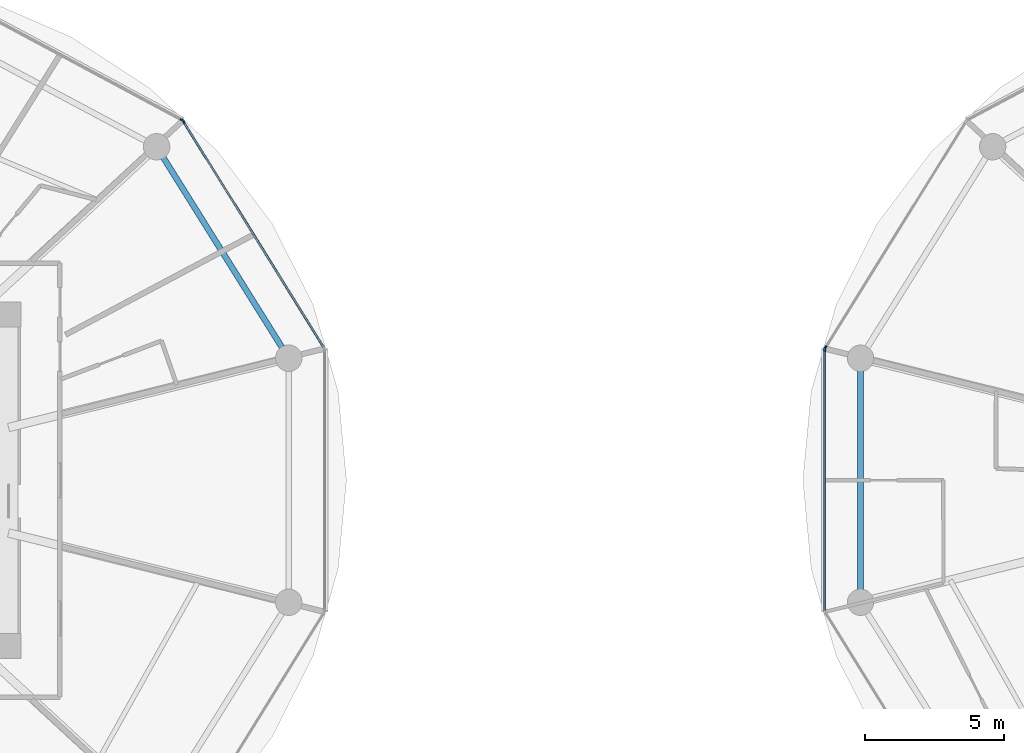
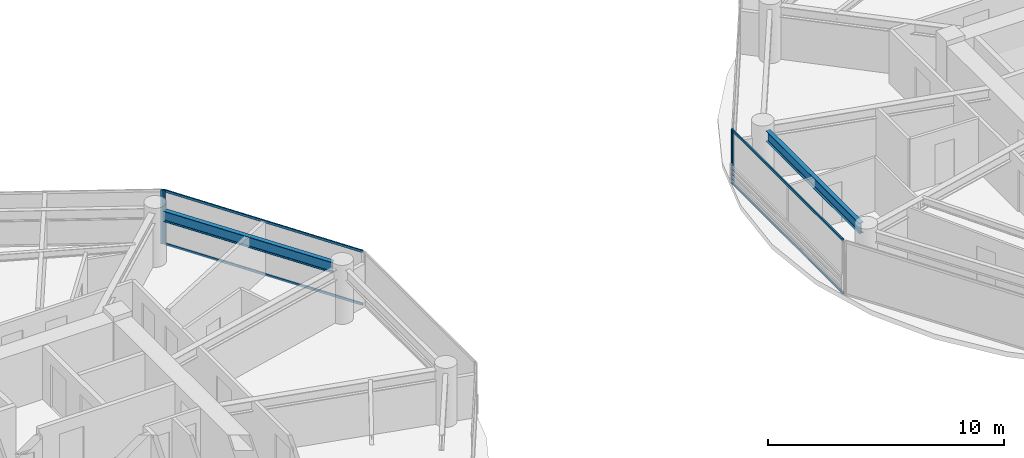
# One storey, part 7 of 27: 8 members, 2 beams, 4 elements without a shape of their own.
"""IFC4 building model written with IfcOpenShell, lengths in metres."""

from ifc_helpers import new_model, si_unit, direction, frame, origin, origin_2d, place, context, subcontext, project, spatial, rectangle, i_section, extrude, source, transform, mapped, material, layer, layer_set, material_profile, profile_set, type_object, type_shapes, element, aggregate, save


model = new_model("IFC4")

# Units and contexts
model_context = context("Model", 3, precision=1e-05, world=origin(), true_north=direction((0.0, 1.0)))
body_context = subcontext(model_context, "Body", "Model", "MODEL_VIEW")
ifc_project = project(units=[si_unit("LENGTHUNIT", "METRE"), si_unit("AREAUNIT", "SQUARE_METRE"), si_unit("VOLUMEUNIT", "CUBIC_METRE"), si_unit("PLANEANGLEUNIT", "RADIAN"), si_unit("MASSUNIT", "GRAM", prefix="KILO")], contexts=[model_context])

# Site, building, storey
site_placement = place(None, origin())
site = spatial("IfcSite", under=ifc_project, at=site_placement, CompositionType="ELEMENT")
building_placement = place(site_placement, origin())
building = spatial("IfcBuilding", under=site, at=building_placement, Name="Norrkilde Senior Care Towers", CompositionType="ELEMENT")
storey_placement = place(building_placement, frame((0.0, 0.0, 33.800048828125)))
storey = spatial("IfcBuildingStorey", under=building, at=storey_placement, Name="L09", CompositionType="ELEMENT", Elevation=33.800048828125)

# Beams
ifc_material_1 = material(Name="Steel S355", Category="steel")
ifc_material_profile_1 = material_profile(ifc_material_1, i_section(OverallWidth=0.2099609375, OverallDepth=0.550048828125, WebThickness=0.010986328125, FlangeThickness=0.01708984375, FilletRadius=0.02392578125, at=origin_2d()), Name="IPE 550")
ifc_profile_set_1 = profile_set([ifc_material_profile_1], Name="Steel S355")
beam_type = type_object("IfcBeamType", Name="Perimeter Ring Spandrel Z1 IPE550", PredefinedType="SPANDREL", material=ifc_profile_set_1)
shared_shape_1 = source(origin(), body_context, "Body", "SweptSolid", [
    extrude(i_section(OverallWidth=0.2099609375, OverallDepth=0.550048828125, WebThickness=0.010986328125, FlangeThickness=0.01708984375, FilletRadius=0.02392578125, at=origin_2d()), origin(), (0.0, 0.0, 1.0), 8.090576171875),
])
beam_1_placement = place(storey_placement, frame((-10.505859375, 4.755859375, 2.514892578125), z_axis=(-0.530004364821, 0.84799491347, 0.0), x_axis=(-0.84799491347, -0.530004364821, 0.0)))
element("IfcBeam", 1, at=beam_1_placement, inside=storey, type_object=beam_type, Name="L09 Drum W Perimeter Spandrel 01", PredefinedType="SPANDREL", context=body_context, shape_type="MappedRepresentation", body=[
    mapped(shared_shape_1, transform((0.0, 0.0, 0.0), x_axis=(1.0, 0.0, 0.0), y_axis=(0.0, 1.0, 0.0), z_axis=(0.0, 0.0, 1.0), scale=1.0)),
])
shared_shape_2 = source(origin(), body_context, "Body", "SweptSolid", [
    extrude(i_section(OverallWidth=0.2099609375, OverallDepth=0.550048828125, WebThickness=0.010986328125, FlangeThickness=0.01708984375, FilletRadius=0.02392578125, at=origin_2d()), origin(), (0.0, 0.0, 1.0), 7.90380859375),
])
type_shapes(beam_type, [shared_shape_1, shared_shape_2])
beam_2_placement = place(storey_placement, frame((10.275146484375, 3.951904296875, 2.514892578125), z_axis=(0.0, -1.0, 0.0), x_axis=(1.0, 0.0, 0.0)))
element("IfcBeam", 2, at=beam_2_placement, inside=storey, type_object=beam_type, Name="L09 Drum E Perimeter Spandrel 06", PredefinedType="SPANDREL", context=body_context, shape_type="MappedRepresentation", body=[
    mapped(shared_shape_2, transform((0.0, 0.0, 0.0), x_axis=(1.0, 0.0, 0.0), y_axis=(0.0, 1.0, 0.0), z_axis=(0.0, 0.0, 1.0), scale=1.0)),
])

# Curtain wall, member
ifc_material_2 = material(Name="Triple Low-E Insulated Glazing", Category="glass")
ifc_layer = layer(ifc_material_2, 0.199951171875)
ifc_layer_set = layer_set([ifc_layer], Name="Triple Low-E Insulated Glazing")
curtain_wall_type = type_object("IfcCurtainWallType", Name="CW2 Zone 1 Memory Care Curtain Wall", PredefinedType="NOTDEFINED", material=ifc_layer_set)
curtain_wall_1_placement = place(storey_placement, origin())
curtain_wall_1 = element("IfcCurtainWall", 3, at=curtain_wall_1_placement, inside=storey, type_object=curtain_wall_type, Name="L09 Drum W Curtain Wall 00", PredefinedType="NOTDEFINED")
ifc_material_3 = material(Name="Anodised Aluminium", Category="aluminium")
ifc_material_profile_2 = material_profile(ifc_material_3, rectangle(XDim=0.06494140625, YDim=0.159912109375, at=origin_2d()), Name="ALU MULL 65x160")
ifc_profile_set_2 = profile_set([ifc_material_profile_2], Name="Anodised Aluminium")
member_type_1 = type_object("IfcMemberType", Name="Curtain Wall Mullion Z1-Z2 65x160", PredefinedType="MULLION", material=ifc_profile_set_2)
shared_shape_3 = source(origin(), body_context, "Body", "SweptSolid", [
    extrude(rectangle(XDim=0.06494140625, YDim=0.159912109375, at=origin_2d()), origin(), (0.0, 0.0, 1.0), 2.7900390625),
])
type_shapes(member_type_1, [shared_shape_3])
member_1_placement = place(storey_placement, frame((-14.06689453125, 12.898193359375, 0.0), z_axis=(0.0, 0.0, 1.0), x_axis=(0.849305943117, 0.527900951871, 0.0)))
member_1 = element("IfcMember", 4, at=member_1_placement, type_object=member_type_1, Name="CW-2 mullion 1", PredefinedType="MULLION", context=body_context, shape_type="MappedRepresentation", body=[
    mapped(shared_shape_3, transform((0.0, 0.0, 0.0), x_axis=(1.0, 0.0, 0.0), y_axis=(0.0, 1.0, 0.0), z_axis=(0.0, 0.0, 1.0), scale=1.0)),
])

curtain_wall_2_placement = place(storey_placement, origin())
curtain_wall_2 = element("IfcCurtainWall", 5, at=curtain_wall_2_placement, inside=storey, type_object=curtain_wall_type, Name="L09 Drum W Curtain Wall 01", PredefinedType="NOTDEFINED")
member_2_placement = place(storey_placement, frame((-14.11279296875, 12.941162109375, 0.0), z_axis=(0.0, 0.0, 1.0), x_axis=(0.472607802456, 0.881272866403, 0.0)))
member_2 = element("IfcMember", 6, at=member_2_placement, type_object=member_type_1, Name="CW-2 mullion 2", PredefinedType="MULLION", context=body_context, shape_type="MappedRepresentation", body=[
    mapped(shared_shape_3, transform((0.0, 0.0, 0.0), x_axis=(1.0, 0.0, 0.0), y_axis=(0.0, 1.0, 0.0), z_axis=(0.0, 0.0, 1.0), scale=1.0)),
])
aggregate(curtain_wall_2, [member_2])

curtain_wall_3_placement = place(storey_placement, origin())
curtain_wall_3 = element("IfcCurtainWall", 7, at=curtain_wall_3_placement, inside=storey, type_object=curtain_wall_type, Name="L09 Drum E Curtain Wall 04", PredefinedType="NOTDEFINED")
member_3_placement = place(storey_placement, frame((9.0078125, 4.7587890625, 0.0), z_axis=(0.0, 0.0, 1.0), x_axis=(-0.849305943117, 0.527900951871, 0.0)))
member_3 = element("IfcMember", 8, at=member_3_placement, type_object=member_type_1, Name="CW-2 mullion 1", PredefinedType="MULLION", context=body_context, shape_type="MappedRepresentation", body=[
    mapped(shared_shape_3, transform((0.0, 0.0, 0.0), x_axis=(1.0, 0.0, 0.0), y_axis=(0.0, 1.0, 0.0), z_axis=(0.0, 0.0, 1.0), scale=1.0)),
])
aggregate(curtain_wall_3, [member_3])

curtain_wall_4_placement = place(storey_placement, origin())
curtain_wall_4 = element("IfcCurtainWall", 9, at=curtain_wall_4_placement, inside=storey, type_object=curtain_wall_type, Name="L09 Drum E Curtain Wall 05", PredefinedType="NOTDEFINED")
member_4_placement = place(storey_placement, frame((8.990478515625, 4.69873046875, 0.0), z_axis=(0.0, 0.0, 1.0), x_axis=(-1.0, 0.0, 0.0)))
member_4 = element("IfcMember", 10, at=member_4_placement, type_object=member_type_1, Name="CW-2 mullion 2", PredefinedType="MULLION", context=body_context, shape_type="MappedRepresentation", body=[
    mapped(shared_shape_3, transform((0.0, 0.0, 0.0), x_axis=(1.0, 0.0, 0.0), y_axis=(0.0, 1.0, 0.0), z_axis=(0.0, 0.0, 1.0), scale=1.0)),
])

# Member
ifc_material_profile_3 = material_profile(ifc_material_3, rectangle(XDim=0.06005859375, YDim=0.1201171875, at=origin_2d()), Name="ALU TRAN 60x120")
ifc_profile_set_3 = profile_set([ifc_material_profile_3], Name="Anodised Aluminium")
member_type_2 = type_object("IfcMemberType", Name="Curtain Wall Transom Typical 60x120", PredefinedType="USERDEFINED", material=ifc_profile_set_3)
shared_shape_4 = source(origin(), body_context, "Body", "SweptSolid", [
    extrude(rectangle(XDim=0.06005859375, YDim=0.1201171875, at=origin_2d()), origin(), (0.0, 0.0, 1.0), 9.5185546875),
])
member_5_placement = place(storey_placement, frame((-14.0498046875, 12.87060546875, 0.030029296875), z_axis=(0.527901620669, -0.849305527413, 0.0), x_axis=(0.849305527413, 0.527901620669, 0.0)))
member_5 = element("IfcMember", 11, at=member_5_placement, type_object=member_type_2, Name="CW-2 transom 1.1", ObjectType="TRANSOM", PredefinedType="USERDEFINED", context=body_context, shape_type="MappedRepresentation", body=[
    mapped(shared_shape_4, transform((0.0, 0.0, 0.0), x_axis=(1.0, 0.0, 0.0), y_axis=(0.0, 1.0, 0.0), z_axis=(0.0, 0.0, 1.0), scale=1.0)),
])

member_6_placement = place(storey_placement, frame((-14.0498046875, 12.87060546875, 2.760009765625), z_axis=(0.527901620669, -0.849305527413, 0.0), x_axis=(0.849305527413, 0.527901620669, 0.0)))
member_6 = element("IfcMember", 12, at=member_6_placement, type_object=member_type_2, Name="CW-2 transom 1.2", ObjectType="TRANSOM", PredefinedType="USERDEFINED", context=body_context, shape_type="MappedRepresentation", body=[
    mapped(shared_shape_4, transform((0.0, 0.0, 0.0), x_axis=(1.0, 0.0, 0.0), y_axis=(0.0, 1.0, 0.0), z_axis=(0.0, 0.0, 1.0), scale=1.0)),
])

aggregate(curtain_wall_1, [member_1, member_5, member_6])

shared_shape_5 = source(origin(), body_context, "Body", "SweptSolid", [
    extrude(rectangle(XDim=0.06005859375, YDim=0.1201171875, at=origin_2d()), origin(), (0.0, 0.0, 1.0), 9.33251953125),
])
type_shapes(member_type_2, [shared_shape_4, shared_shape_5])
member_7_placement = place(storey_placement, frame((8.990478515625, -4.666259765625, 0.030029296875), z_axis=(0.0, 1.0, 0.0), x_axis=(-1.0, 0.0, 0.0)))
member_7 = element("IfcMember", 13, at=member_7_placement, type_object=member_type_2, Name="CW-2 transom 1.1", ObjectType="TRANSOM", PredefinedType="USERDEFINED", context=body_context, shape_type="MappedRepresentation", body=[
    mapped(shared_shape_5, transform((0.0, 0.0, 0.0), x_axis=(1.0, 0.0, 0.0), y_axis=(0.0, 1.0, 0.0), z_axis=(0.0, 0.0, 1.0), scale=1.0)),
])

member_8_placement = place(storey_placement, frame((8.990478515625, -4.666259765625, 2.760009765625), z_axis=(0.0, 1.0, 0.0), x_axis=(-1.0, 0.0, 0.0)))
member_8 = element("IfcMember", 14, at=member_8_placement, type_object=member_type_2, Name="CW-2 transom 1.2", ObjectType="TRANSOM", PredefinedType="USERDEFINED", context=body_context, shape_type="MappedRepresentation", body=[
    mapped(shared_shape_5, transform((0.0, 0.0, 0.0), x_axis=(1.0, 0.0, 0.0), y_axis=(0.0, 1.0, 0.0), z_axis=(0.0, 0.0, 1.0), scale=1.0)),
])

aggregate(curtain_wall_4, [member_4, member_7, member_8])

save(model, "model.ifc")
